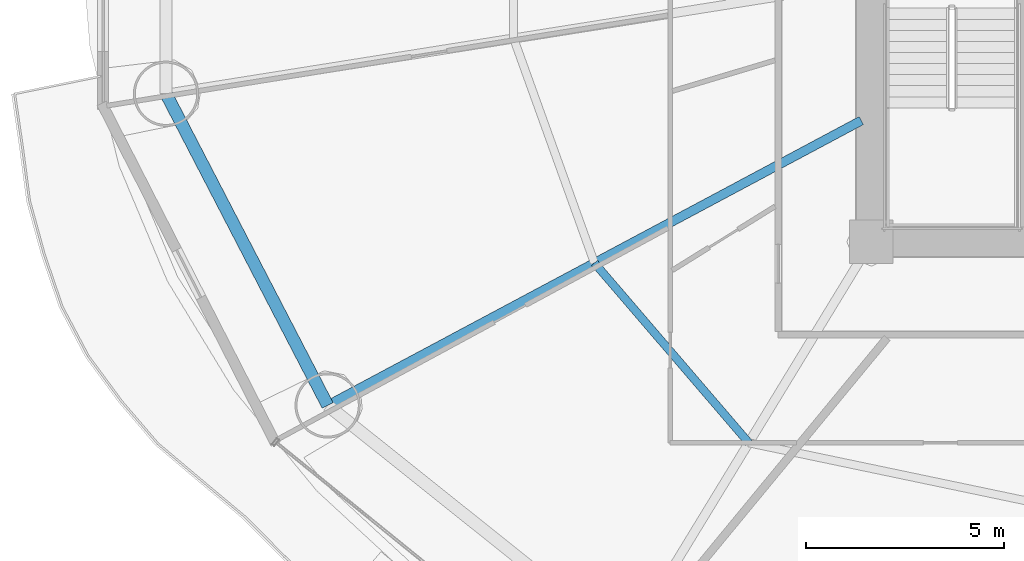
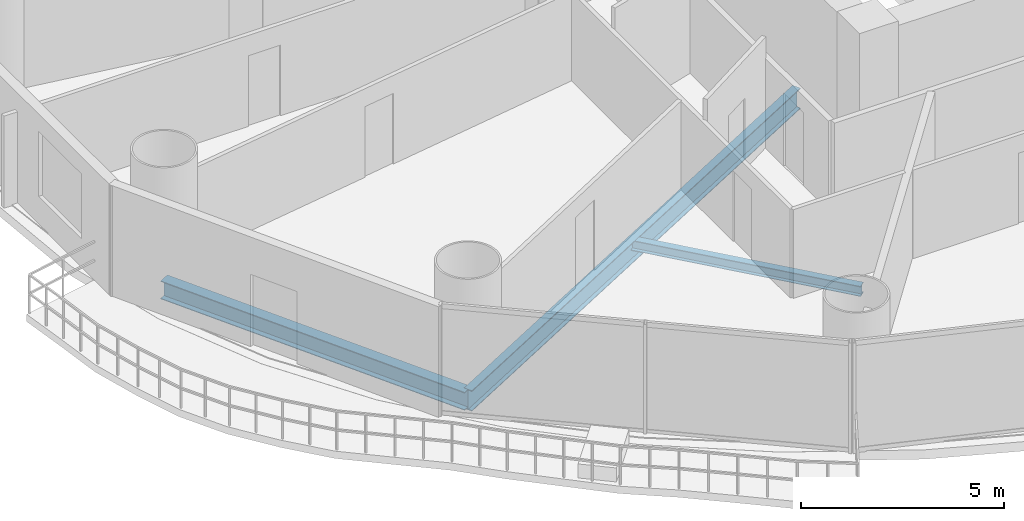
# One storey, part 3 of 28: 3 beams.
"""IFC4 building model written with IfcOpenShell, lengths in metres."""

import ifcopenshell
import ifcopenshell.guid

model = None  # the IFC model being written
_history = None  # IfcOwnerHistory: only IFC2X3 demands one
_inside = {}  # id of a spatial element -> (the spatial element, [elements in it])
_under = {}  # id of a project, library or spatial element -> (it, [spatial elements below it])
_declared = {}  # id of a project -> (the project, [libraries it declares])
_typed = {}  # id of a type object -> (the type object, [elements of that type])
_made_of = {}  # id of a material, layer set ... -> (it, [elements and type objects made of it])


def new_model(schema):
    """Start an empty IFC model of exactly this schema.

    Asked for "IFC4X3", IfcOpenShell would pick the latest addendum, in which some entities
    have other attributes; the version numbers below select the first issue.
    IFC2X3 requires an IfcOwnerHistory on every rooted entity: one is made here for all.
    """
    global model, _history
    if schema == "IFC4X3":
        model = ifcopenshell.file(schema_version=(4, 3, 0, 0))
    else:
        model = ifcopenshell.file(schema=schema)
    _inside.clear()
    _under.clear()
    _declared.clear()
    _typed.clear()
    _made_of.clear()
    _history = None
    if model.schema == "IFC2X3":
        org = make("IfcOrganization", Name="unknown")
        user = make(
            "IfcPersonAndOrganization",
            ThePerson=make("IfcPerson", FamilyName="unknown"),
            TheOrganization=org,
        )
        app = make(
            "IfcApplication",
            ApplicationDeveloper=org,
            Version="unknown",
            ApplicationFullName="unknown",
            ApplicationIdentifier="unknown",
        )
        _history = make(
            "IfcOwnerHistory",
            OwningUser=user,
            OwningApplication=app,
            ChangeAction="ADDED",
            CreationDate=0,
        )
    return model


def make(cls, **values):
    """One entity of the class cls with the attributes given. An attribute that is None is left unset."""
    return model.create_entity(
        cls, **{name: value for name, value in values.items() if value is not None}
    )


def rooted(cls, **values):
    """An entity with a GlobalId (a new one), such as an element, a storey or a relation."""
    return make(cls, GlobalId=ifcopenshell.guid.new(), OwnerHistory=_history, **values)


def si_unit(unit_type, name, prefix=None):
    """IfcSIUnit, for example si_unit("LENGTHUNIT", "METRE", prefix="MILLI")."""
    return make("IfcSIUnit", UnitType=unit_type, Prefix=prefix, Name=name)


def assignment(units):
    """IfcUnitAssignment: the units of a project."""
    return None if units is None else make("IfcUnitAssignment", Units=units)


def point(xyz):
    """IfcCartesianPoint."""
    return None if xyz is None else make("IfcCartesianPoint", Coordinates=xyz)


def direction(xyz):
    """IfcDirection."""
    return None if xyz is None else make("IfcDirection", DirectionRatios=xyz)


def frame(location, z_axis=None, x_axis=None):
    """IfcAxis2Placement3D, a coordinate frame: its origin and axes. An axis left out is left unset."""
    return make(
        "IfcAxis2Placement3D",
        Location=point(location),
        Axis=direction(z_axis),
        RefDirection=direction(x_axis),
    )


def frame_2d(location, x_axis=None):
    """IfcAxis2Placement2D, a coordinate frame in the plane: its origin and x axis."""
    return make(
        "IfcAxis2Placement2D", Location=point(location), RefDirection=direction(x_axis)
    )


def origin():
    """The frame at (0, 0, 0) with its axes left unset."""
    return frame((0.0, 0.0, 0.0))


def origin_2d():
    """The frame at (0, 0) in the plane with its x axis left unset."""
    return frame_2d((0.0, 0.0))


def place(relative_to, where):
    """IfcLocalPlacement: puts the frame where relative to a parent placement (None: the world)."""
    return make(
        "IfcLocalPlacement", PlacementRelTo=relative_to, RelativePlacement=where
    )


def context(
    kind, dimensions, precision=None, world=None, true_north=None, identifier=None
):
    """IfcGeometricRepresentationContext, for example the 3D "Model" context."""
    return make(
        "IfcGeometricRepresentationContext",
        ContextIdentifier=identifier,
        ContextType=kind,
        CoordinateSpaceDimension=dimensions,
        Precision=precision,
        WorldCoordinateSystem=world,
        TrueNorth=true_north,
    )


def subcontext(parent, identifier, kind, view, scale=None):
    """IfcGeometricRepresentationSubContext, for example "Body" below "Model"."""
    return make(
        "IfcGeometricRepresentationSubContext",
        ContextIdentifier=identifier,
        ContextType=kind,
        ParentContext=parent,
        TargetScale=scale,
        TargetView=view,
    )


def project(units=None, contexts=None):
    """IfcProject with its units and contexts."""
    return rooted(
        "IfcProject",
        Name="project",
        RepresentationContexts=contexts,
        UnitsInContext=assignment(units),
    )


def spatial(cls, under=None, at=None, **own):
    """A site, building, storey or space (cls), placed at a placement, below another one or the project."""
    s = rooted(cls, ObjectPlacement=at, **own)
    if under is not None:
        _under.setdefault(under.id(), (under, []))[1].append(s)
    return s


def profile(cls, at=None, kind="AREA", **sizes):
    """A parametric profile (cls). Its sizes go by their IFC names, for example OverallWidth=200.0."""
    return make(cls, ProfileType=kind, Position=at, **sizes)


def i_section(**sizes):
    """IfcIShapeProfileDef."""
    return profile("IfcIShapeProfileDef", **sizes)


def extrude(swept, where, along, depth):
    """IfcExtrudedAreaSolid: the profile swept, set in the frame where, extruded along a direction by depth."""
    return make(
        "IfcExtrudedAreaSolid",
        SweptArea=swept,
        Position=where,
        ExtrudedDirection=direction(along),
        Depth=depth,
    )


def shape(context_of_items, identifier, shape_type, items):
    """IfcShapeRepresentation: the items that make up one representation, for example the "Body"."""
    return make(
        "IfcShapeRepresentation",
        ContextOfItems=context_of_items,
        RepresentationIdentifier=identifier,
        RepresentationType=shape_type,
        Items=items,
    )


def material(Name=None, Category=None):
    """IfcMaterial."""
    return make("IfcMaterial", Name=Name, Category=Category)


def material_profile(
    of_material, cross_section, Name=None, Category=None, Priority=None
):
    """IfcMaterialProfile: a cross section and its material."""
    return make(
        "IfcMaterialProfile",
        Name=Name,
        Material=of_material,
        Profile=cross_section,
        Priority=Priority,
        Category=Category,
    )


def profile_set(profiles, Name=None, composite=None):
    """IfcMaterialProfileSet."""
    return make(
        "IfcMaterialProfileSet",
        Name=Name,
        MaterialProfiles=profiles,
        CompositeProfile=composite,
    )


def made_of(thing, what):
    """Note that an element or type object is made of a material, layer set ...; save() writes the relation."""
    if what is not None:
        _made_of.setdefault(what.id(), (what, []))[1].append(thing)
    return thing


def type_object(cls, material=None, **own):
    """A type object (cls), such as IfcWallType, which elements share."""
    return made_of(rooted(cls, **own), material)


def element(
    cls,
    number,
    at=None,
    inside=None,
    cuts=None,
    type_object=None,
    material=None,
    context=None,
    identifier="Body",
    shape_type=None,
    held_by="IfcProductDefinitionShape",
    body=None,
    shapes=None,
    **own,
):
    """One element of the class cls, such as IfcWall. Its Tag is "e" and its number.

    at: its placement. inside: the storey or other place that contains it. cuts: it is an
    opening in that element (IfcRelVoidsElement). A single representation is given by context,
    identifier, shape_type and body (its items); several are given by shapes. held_by: the class
    of the entity that holds the representations. save() writes the other relations.
    """
    e = rooted(cls, Tag="e%d" % number, ObjectPlacement=at, **own)
    if body is not None:
        shapes = [shape(context, identifier, shape_type, body)]
    if shapes is not None:
        e.Representation = make(held_by, Representations=shapes)
    if inside is not None:
        _inside.setdefault(inside.id(), (inside, []))[1].append(e)
    if cuts is not None:
        rooted(
            "IfcRelVoidsElement", RelatingBuildingElement=cuts, RelatedOpeningElement=e
        )
    if type_object is not None:
        _typed.setdefault(type_object.id(), (type_object, []))[1].append(e)
    return made_of(e, material)


def aggregate(whole, parts):
    """IfcRelAggregates: a whole, such as a stair, and the parts it consists of."""
    return rooted("IfcRelAggregates", RelatingObject=whole, RelatedObjects=parts)


def save(model, path):
    """Write the relations noted so far, then the file.

    IfcRelAggregates (storeys below a building ...), IfcRelContainedInSpatialStructure (elements
    in a storey), IfcRelDefinesByType, IfcRelAssociatesMaterial and IfcRelDeclares: one each for
    every whole, place, type object, material and project.
    """
    for whole, parts in _under.values():
        aggregate(whole, parts)
    for where, things in _inside.values():
        rooted(
            "IfcRelContainedInSpatialStructure",
            RelatedElements=things,
            RelatingStructure=where,
        )
    for kind, things in _typed.values():
        rooted("IfcRelDefinesByType", RelatedObjects=things, RelatingType=kind)
    for what, things in _made_of.values():
        rooted("IfcRelAssociatesMaterial", RelatedObjects=things, RelatingMaterial=what)
    for by, libraries in _declared.values():
        rooted("IfcRelDeclares", RelatingContext=by, RelatedDefinitions=libraries)
    model.write(path)


model = new_model("IFC4")

# Units and contexts
model_context = context("Model", 3, precision=1e-05, world=origin(), true_north=direction((-0.2419218956, 0.970295726276)))
body_context = subcontext(model_context, "Body", "Model", "MODEL_VIEW")
ifc_project = project(units=[si_unit("LENGTHUNIT", "METRE"), si_unit("AREAUNIT", "SQUARE_METRE"), si_unit("VOLUMEUNIT", "CUBIC_METRE"), si_unit("PLANEANGLEUNIT", "RADIAN"), si_unit("MASSUNIT", "GRAM", prefix="KILO")], contexts=[model_context])

# Site, building, storey
site_placement = place(None, origin())
site = spatial("IfcSite", under=ifc_project, at=site_placement, CompositionType="ELEMENT")
building_placement = place(site_placement, origin())
building = spatial("IfcBuilding", under=site, at=building_placement, Name="Cobrevalo Terracotta Tower", CompositionType="ELEMENT")
storey_placement = place(building_placement, frame((0.0, 0.0, 42.0)))
storey = spatial("IfcBuildingStorey", under=building, at=storey_placement, Name="L10", CompositionType="ELEMENT", Elevation=42.0)

# Beams
ifc_material = material(Name="Steel S355", Category="steel")
ifc_material_profile_1 = material_profile(ifc_material, i_section(OverallWidth=0.22998046875, OverallDepth=0.616943359375, WebThickness=0.01318359375, FlangeThickness=0.022216796875, at=origin_2d()), Name="W 610x140")
ifc_profile_set_1 = profile_set([ifc_material_profile_1], Name="Steel S355")
beam_type_1 = type_object("IfcBeamType", Name="Structural Beam W 610x140 (Steel S355)", PredefinedType="BEAM", material=ifc_profile_set_1)
beam_1_placement = place(storey_placement, frame((15.25927734375, 14.660888671875, -0.58837890625), z_axis=(0.88218223571, 0.470908168329, 0.0), x_axis=(-0.470908168329, 0.88218223571, 0.0)))
element("IfcBeam", 1, at=beam_1_placement, inside=storey, type_object=beam_type_1, Name="L10 radial floor girder 10", PredefinedType="BEAM", context=body_context, shape_type="SweptSolid", body=[
    extrude(i_section(OverallWidth=0.22998046875, OverallDepth=0.616943359375, WebThickness=0.01318359375, FlangeThickness=0.022216796875, at=origin_2d()), origin(), (0.0, 0.0, 1.0), 15.286865234375),
])
ifc_material_profile_2 = material_profile(ifc_material, i_section(OverallWidth=0.2041015625, OverallDepth=0.305908203125, WebThickness=0.008544921875, FlangeThickness=0.0146484375, at=origin_2d()), Name="W 310x67")
ifc_profile_set_2 = profile_set([ifc_material_profile_2], Name="Steel S355")
beam_type_2 = type_object("IfcBeamType", Name="Structural Joist W 310x67 (Steel S355)", PredefinedType="JOIST", material=ifc_profile_set_2)
beam_2_placement = place(storey_placement, frame((22.002197265625, 18.26025390625, -0.43310546875), z_axis=(0.651328404454, -0.758795960421, 0.0), x_axis=(0.758795960421, 0.651328404454, 0.0)))
element("IfcBeam", 2, at=beam_2_placement, inside=storey, type_object=beam_type_2, Name="L10 circumferential secondary floor joist 10", PredefinedType="JOIST", context=body_context, shape_type="SweptSolid", body=[
    extrude(i_section(OverallWidth=0.2041015625, OverallDepth=0.305908203125, WebThickness=0.008544921875, FlangeThickness=0.0146484375, at=origin_2d()), origin(), (0.0, 0.0, 1.0), 5.98828125),
])
ifc_material_profile_3 = material_profile(ifc_material, i_section(OverallWidth=0.31201171875, OverallDepth=0.54296875, WebThickness=0.0126953125, FlangeThickness=0.020263671875, at=origin_2d()), Name="W 530x150")
ifc_profile_set_3 = profile_set([ifc_material_profile_3], Name="Steel S355")
beam_type_3 = type_object("IfcBeamType", Name="Structural Spandrel W 530x150 (Steel S355)", PredefinedType="SPANDREL", material=ifc_profile_set_3)
beam_3_placement = place(storey_placement, frame((11.175537109375, 22.537353515625, -0.551513671875), z_axis=(0.460285838799, -0.88777077368, 0.0), x_axis=(0.88777077368, 0.460285838799, 0.0)))
element("IfcBeam", 3, at=beam_3_placement, inside=storey, type_object=beam_type_3, Name="L10 perimeter ring spandrel 09", PredefinedType="SPANDREL", context=body_context, shape_type="SweptSolid", body=[
    extrude(i_section(OverallWidth=0.31201171875, OverallDepth=0.54296875, WebThickness=0.0126953125, FlangeThickness=0.020263671875, at=origin_2d()), origin(), (0.0, 0.0, 1.0), 8.8720703125),
])

save(model, "model.ifc")
